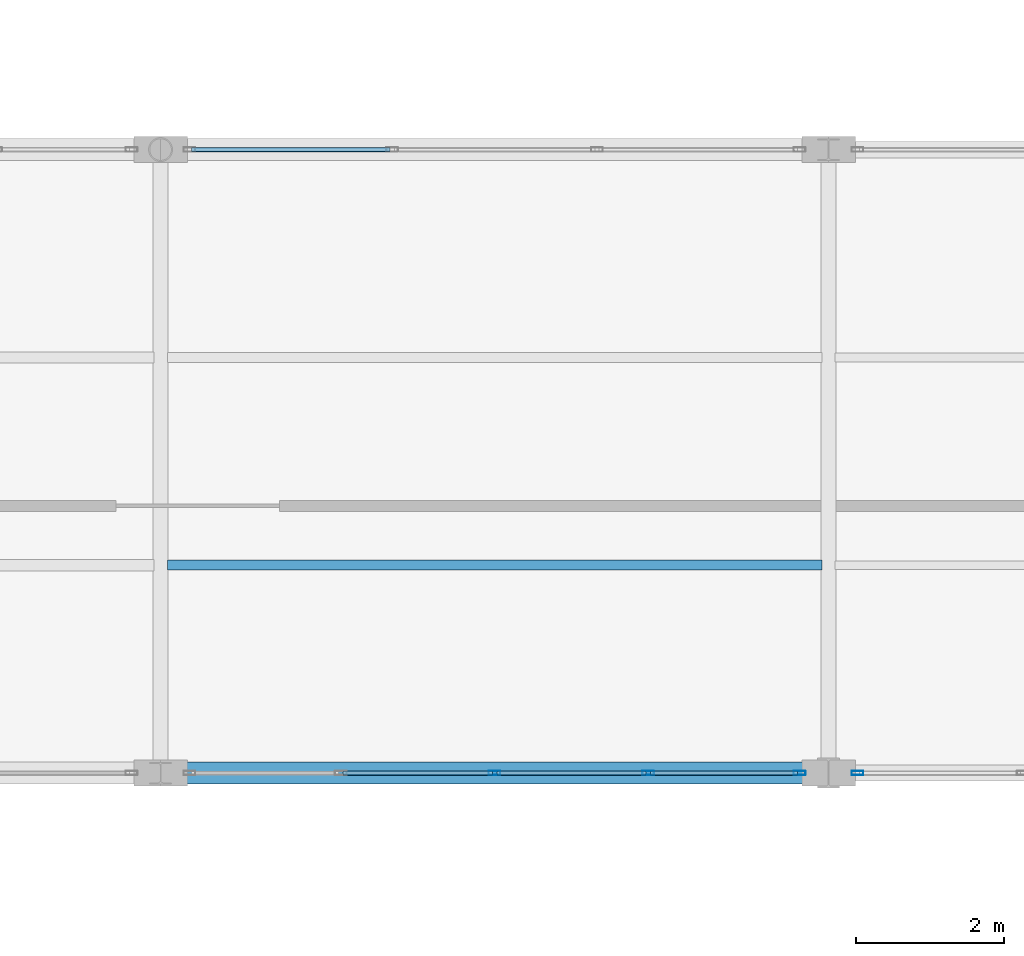
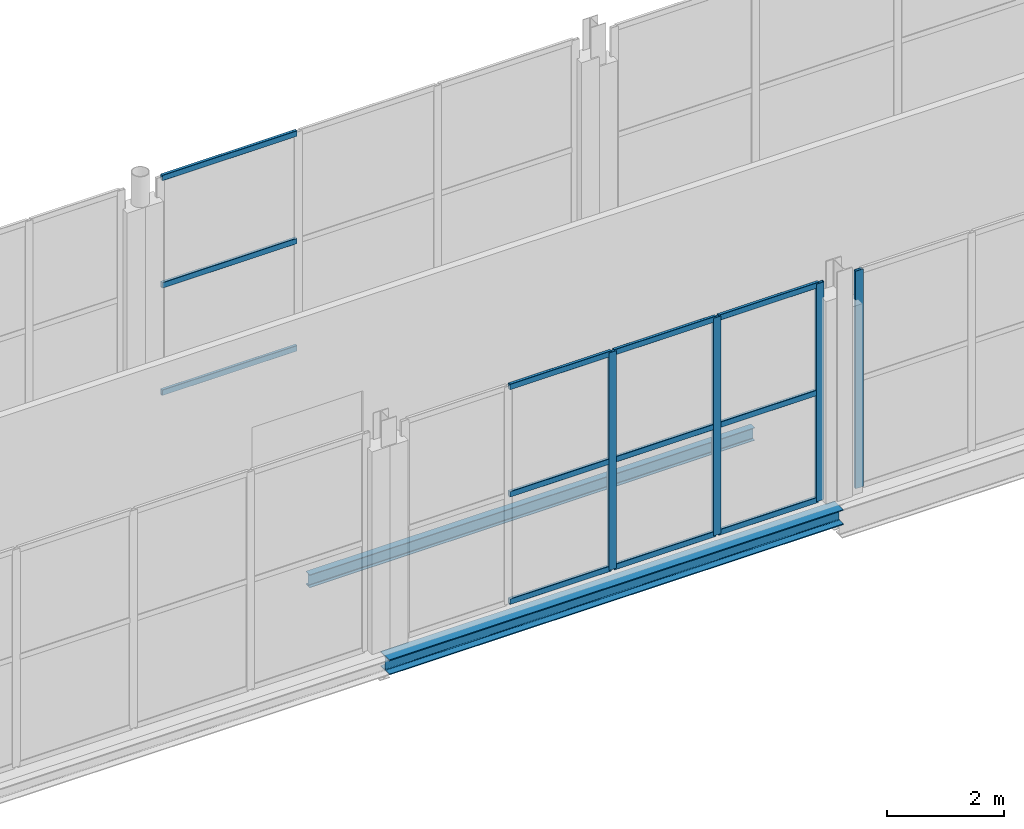
# One storey, part 63 of 120: 16 members, 2 beams, 3 elements without a shape of their own.
"""IFC4 building model written with IfcOpenShell, lengths in metres."""

from ifc_helpers import new_model, si_unit, direction, frame, origin, origin_2d, place, context, subcontext, project, spatial, hollow_rectangle, i_section, extrude, material, layer, layer_set, material_profile, profile_set, type_object, element, aggregate, save


model = new_model("IFC4")

# Units and contexts
model_context = context("Model", 3, precision=1e-05, world=origin(), true_north=direction((0.0, 1.0)))
body_context = subcontext(model_context, "Body", "Model", "MODEL_VIEW")
ifc_project = project(units=[si_unit("LENGTHUNIT", "METRE"), si_unit("AREAUNIT", "SQUARE_METRE"), si_unit("VOLUMEUNIT", "CUBIC_METRE"), si_unit("PLANEANGLEUNIT", "RADIAN"), si_unit("MASSUNIT", "GRAM", prefix="KILO")], contexts=[model_context])

# Site, building, storey
site_placement = place(None, origin())
site = spatial("IfcSite", under=ifc_project, at=site_placement, CompositionType="ELEMENT")
building_placement = place(site_placement, origin())
building = spatial("IfcBuilding", under=site, at=building_placement, Name="Vekula Escarpment Museum", CompositionType="ELEMENT")
storey_placement = place(building_placement, frame((0.0, 0.0, 13.199951171875)))
storey = spatial("IfcBuildingStorey", under=building, at=storey_placement, Name="L03", CompositionType="ELEMENT", Elevation=13.199951171875)

# Beams
ifc_material_1 = material(Name="Steel S355", Category="steel")
ifc_material_profile_1 = material_profile(ifc_material_1, i_section(OverallWidth=0.300048828125, OverallDepth=0.320068359375, WebThickness=0.011474609375, FlangeThickness=0.0205078125, FilletRadius=0.027099609375, at=origin_2d()), Name="HEB 320")
ifc_profile_set_1 = profile_set([ifc_material_profile_1], Name="Steel S355")
beam_type_1 = type_object("IfcBeamType", Name="BM-GIRD-HEB320", PredefinedType="BEAM", material=ifc_profile_set_1)
beam_1_placement = place(storey_placement, frame((146.0, 68.0, -0.409912109375), z_axis=(1.0, 0.0, 0.0), x_axis=(0.0, 1.0, 0.0)))
element("IfcBeam", 1, at=beam_1_placement, inside=storey, type_object=beam_type_1, Name="Beam X L03 1371", PredefinedType="BEAM", context=body_context, shape_type="SweptSolid", body=[
    extrude(i_section(OverallWidth=0.300048828125, OverallDepth=0.320068359375, WebThickness=0.011474609375, FlangeThickness=0.0205078125, FilletRadius=0.027099609375, at=origin_2d()), origin(), (0.0, 0.0, 1.0), 9.0),
])
ifc_material_2 = material(Name="Steel S355", Category="steel")
ifc_material_profile_2 = material_profile(ifc_material_2, i_section(OverallWidth=0.135009765625, OverallDepth=0.27001953125, WebThickness=0.006591796875, FlangeThickness=0.01025390625, FilletRadius=0.014892578125, at=origin_2d()), Name="IPE 270")
ifc_profile_set_2 = profile_set([ifc_material_profile_2], Name="Steel S355")
beam_type_2 = type_object("IfcBeamType", Name="BM-JST-IPE270", PredefinedType="JOIST", material=ifc_profile_set_2)
beam_2_placement = place(storey_placement, frame((146.090087890625, 70.800048828125, -0.385009765625), z_axis=(1.0, 0.0, 0.0), x_axis=(0.0, 1.0, 0.0)))
element("IfcBeam", 2, at=beam_2_placement, inside=storey, type_object=beam_type_2, Name="Secondary Joist L03 1084", PredefinedType="JOIST", context=body_context, shape_type="SweptSolid", body=[
    extrude(i_section(OverallWidth=0.135009765625, OverallDepth=0.27001953125, WebThickness=0.006591796875, FlangeThickness=0.01025390625, FilletRadius=0.014892578125, at=origin_2d()), origin(), (0.0, 0.0, 1.0), 8.81982421875),
])

# Curtain wall, members
ifc_material_3 = material(Name="Aluminium thermally broken framing", Category="aluminium")
ifc_layer_1 = layer(ifc_material_3, 0.199951171875)
ifc_layer_set_1 = layer_set([ifc_layer_1], Name="Aluminium thermally broken framing")
curtain_wall_type_1 = type_object("IfcCurtainWallType", Name="CW-SYS-03", PredefinedType="NOTDEFINED", material=ifc_layer_set_1)
curtain_wall_1_placement = place(storey_placement, origin())
curtain_wall_1 = element("IfcCurtainWall", 3, at=curtain_wall_1_placement, inside=storey, type_object=curtain_wall_type_1, Name="Curtain Wall CW-L03-113", PredefinedType="NOTDEFINED")
ifc_material_4 = material(Name="Aluminium anodized mullion", Category="aluminium")
ifc_material_profile_3 = material_profile(ifc_material_4, hollow_rectangle(XDim=0.06005859375, YDim=0.159912109375, WallThickness=0.00390625, InnerFilletRadius=0.00390625, OuterFilletRadius=0.008056640625, at=origin_2d()), Name="ALU 160x60x4")
ifc_profile_set_3 = profile_set([ifc_material_profile_3], Name="Aluminium anodized mullion")
member_type_1 = type_object("IfcMemberType", Name="CW-MUL-160", PredefinedType="MULLION", material=ifc_profile_set_3)
member_1_placement = place(storey_placement, frame((150.5, 68.0, 0.0), z_axis=(0.0, 0.0, 1.0), x_axis=(0.0, 1.0, 0.0)))
member_1 = element("IfcMember", 4, at=member_1_placement, type_object=member_type_1, Name="CW-03 mullion 3", PredefinedType="MULLION", context=body_context, shape_type="SweptSolid", body=[
    extrude(hollow_rectangle(XDim=0.06005859375, YDim=0.159912109375, WallThickness=0.00390625, InnerFilletRadius=0.00390625, OuterFilletRadius=0.008056640625, at=origin_2d()), origin(), (0.0, 0.0, 1.0), 4.56005859375),
])
member_2_placement = place(storey_placement, frame((152.570068359375, 68.0, 0.0), z_axis=(0.0, 0.0, 1.0), x_axis=(0.0, 1.0, 0.0)))
member_2 = element("IfcMember", 5, at=member_2_placement, type_object=member_type_1, Name="CW-03 mullion 4", PredefinedType="MULLION", context=body_context, shape_type="SweptSolid", body=[
    extrude(hollow_rectangle(XDim=0.06005859375, YDim=0.159912109375, WallThickness=0.00390625, InnerFilletRadius=0.00390625, OuterFilletRadius=0.008056640625, at=origin_2d()), origin(), (0.0, 0.0, 1.0), 4.56005859375),
])
member_3_placement = place(storey_placement, frame((154.610107421875, 68.0, 0.0), z_axis=(0.0, 0.0, 1.0), x_axis=(0.0, 1.0, 0.0)))
member_3 = element("IfcMember", 6, at=member_3_placement, type_object=member_type_1, Name="CW-03 mullion 5", PredefinedType="MULLION", context=body_context, shape_type="SweptSolid", body=[
    extrude(hollow_rectangle(XDim=0.06005859375, YDim=0.159912109375, WallThickness=0.00390625, InnerFilletRadius=0.00390625, OuterFilletRadius=0.008056640625, at=origin_2d()), origin(), (0.0, 0.0, 1.0), 4.56005859375),
])

# Curtain wall, member
ifc_material_5 = material(Name="Aluminium thermally broken framing", Category="aluminium")
ifc_layer_2 = layer(ifc_material_5, 0.199951171875)
ifc_layer_set_2 = layer_set([ifc_layer_2], Name="Aluminium thermally broken framing")
curtain_wall_type_2 = type_object("IfcCurtainWallType", Name="CW-SYS-04", PredefinedType="NOTDEFINED", material=ifc_layer_set_2)
curtain_wall_2_placement = place(storey_placement, origin())
curtain_wall_2 = element("IfcCurtainWall", 7, at=curtain_wall_2_placement, inside=storey, type_object=curtain_wall_type_2, Name="Curtain Wall CW-L03-114", PredefinedType="NOTDEFINED")
member_4_placement = place(storey_placement, frame((155.389892578125, 68.0, 0.0), z_axis=(0.0, 0.0, 1.0), x_axis=(0.0, 1.0, 0.0)))
member_4 = element("IfcMember", 8, at=member_4_placement, type_object=member_type_1, Name="CW-04 mullion 1", PredefinedType="MULLION", context=body_context, shape_type="SweptSolid", body=[
    extrude(hollow_rectangle(XDim=0.06005859375, YDim=0.159912109375, WallThickness=0.00390625, InnerFilletRadius=0.00390625, OuterFilletRadius=0.008056640625, at=origin_2d()), origin(), (0.0, 0.0, 1.0), 4.56005859375),
])
aggregate(curtain_wall_2, [member_4])

# Member
ifc_material_6 = material(Name="Aluminium anodized transom", Category="aluminium")
ifc_material_profile_4 = material_profile(ifc_material_6, hollow_rectangle(XDim=0.06005859375, YDim=0.1201171875, WallThickness=0.00390625, InnerFilletRadius=0.00390625, OuterFilletRadius=0.008056640625, at=origin_2d()), Name="ALU 120x60x4")
ifc_profile_set_4 = profile_set([ifc_material_profile_4], Name="Aluminium anodized transom")
member_type_2 = type_object("IfcMemberType", Name="CW-TRN-120", PredefinedType="USERDEFINED", material=ifc_profile_set_4)
member_5_placement = place(storey_placement, frame((148.4599609375, 68.0, 0.030029296875), z_axis=(1.0, 0.0, 0.0), x_axis=(0.0, 1.0, 0.0)))
member_5 = element("IfcMember", 9, at=member_5_placement, type_object=member_type_2, Name="CW-03 transom 2.1", ObjectType="TRANSOM", PredefinedType="USERDEFINED", context=body_context, shape_type="SweptSolid", body=[
    extrude(hollow_rectangle(XDim=0.06005859375, YDim=0.1201171875, WallThickness=0.00390625, InnerFilletRadius=0.00390625, OuterFilletRadius=0.008056640625, at=origin_2d()), origin(), (0.0, 0.0, 1.0), 2.010009765625),
])

member_6_placement = place(storey_placement, frame((148.4599609375, 68.0, 2.280029296875), z_axis=(1.0, 0.0, 0.0), x_axis=(0.0, 1.0, 0.0)))
member_6 = element("IfcMember", 10, at=member_6_placement, type_object=member_type_2, Name="CW-03 transom 2.2", ObjectType="TRANSOM", PredefinedType="USERDEFINED", context=body_context, shape_type="SweptSolid", body=[
    extrude(hollow_rectangle(XDim=0.06005859375, YDim=0.1201171875, WallThickness=0.00390625, InnerFilletRadius=0.00390625, OuterFilletRadius=0.008056640625, at=origin_2d()), origin(), (0.0, 0.0, 1.0), 2.010009765625),
])

member_7_placement = place(storey_placement, frame((148.4599609375, 68.0, 4.530029296875), z_axis=(1.0, 0.0, 0.0), x_axis=(0.0, 1.0, 0.0)))
member_7 = element("IfcMember", 11, at=member_7_placement, type_object=member_type_2, Name="CW-03 transom 2.3", ObjectType="TRANSOM", PredefinedType="USERDEFINED", context=body_context, shape_type="SweptSolid", body=[
    extrude(hollow_rectangle(XDim=0.06005859375, YDim=0.1201171875, WallThickness=0.00390625, InnerFilletRadius=0.00390625, OuterFilletRadius=0.008056640625, at=origin_2d()), origin(), (0.0, 0.0, 1.0), 2.010009765625),
])

member_8_placement = place(storey_placement, frame((150.530029296875, 68.0, 0.030029296875), z_axis=(1.0, 0.0, 0.0), x_axis=(0.0, 1.0, 0.0)))
member_8 = element("IfcMember", 12, at=member_8_placement, type_object=member_type_2, Name="CW-03 transom 3.1", ObjectType="TRANSOM", PredefinedType="USERDEFINED", context=body_context, shape_type="SweptSolid", body=[
    extrude(hollow_rectangle(XDim=0.06005859375, YDim=0.1201171875, WallThickness=0.00390625, InnerFilletRadius=0.00390625, OuterFilletRadius=0.008056640625, at=origin_2d()), origin(), (0.0, 0.0, 1.0), 2.010009765625),
])

member_9_placement = place(storey_placement, frame((150.530029296875, 68.0, 2.280029296875), z_axis=(1.0, 0.0, 0.0), x_axis=(0.0, 1.0, 0.0)))
member_9 = element("IfcMember", 13, at=member_9_placement, type_object=member_type_2, Name="CW-03 transom 3.2", ObjectType="TRANSOM", PredefinedType="USERDEFINED", context=body_context, shape_type="SweptSolid", body=[
    extrude(hollow_rectangle(XDim=0.06005859375, YDim=0.1201171875, WallThickness=0.00390625, InnerFilletRadius=0.00390625, OuterFilletRadius=0.008056640625, at=origin_2d()), origin(), (0.0, 0.0, 1.0), 2.010009765625),
])

member_10_placement = place(storey_placement, frame((150.530029296875, 68.0, 4.530029296875), z_axis=(1.0, 0.0, 0.0), x_axis=(0.0, 1.0, 0.0)))
member_10 = element("IfcMember", 14, at=member_10_placement, type_object=member_type_2, Name="CW-03 transom 3.3", ObjectType="TRANSOM", PredefinedType="USERDEFINED", context=body_context, shape_type="SweptSolid", body=[
    extrude(hollow_rectangle(XDim=0.06005859375, YDim=0.1201171875, WallThickness=0.00390625, InnerFilletRadius=0.00390625, OuterFilletRadius=0.008056640625, at=origin_2d()), origin(), (0.0, 0.0, 1.0), 2.010009765625),
])

member_11_placement = place(storey_placement, frame((152.60009765625, 68.0, 0.030029296875), z_axis=(1.0, 0.0, 0.0), x_axis=(0.0, 1.0, 0.0)))
member_11 = element("IfcMember", 15, at=member_11_placement, type_object=member_type_2, Name="CW-03 transom 4.1", ObjectType="TRANSOM", PredefinedType="USERDEFINED", context=body_context, shape_type="SweptSolid", body=[
    extrude(hollow_rectangle(XDim=0.06005859375, YDim=0.1201171875, WallThickness=0.00390625, InnerFilletRadius=0.00390625, OuterFilletRadius=0.008056640625, at=origin_2d()), origin(), (0.0, 0.0, 1.0), 1.97998046875),
])

member_12_placement = place(storey_placement, frame((152.60009765625, 68.0, 2.280029296875), z_axis=(1.0, 0.0, 0.0), x_axis=(0.0, 1.0, 0.0)))
member_12 = element("IfcMember", 16, at=member_12_placement, type_object=member_type_2, Name="CW-03 transom 4.2", ObjectType="TRANSOM", PredefinedType="USERDEFINED", context=body_context, shape_type="SweptSolid", body=[
    extrude(hollow_rectangle(XDim=0.06005859375, YDim=0.1201171875, WallThickness=0.00390625, InnerFilletRadius=0.00390625, OuterFilletRadius=0.008056640625, at=origin_2d()), origin(), (0.0, 0.0, 1.0), 1.97998046875),
])

member_13_placement = place(storey_placement, frame((152.60009765625, 68.0, 4.530029296875), z_axis=(1.0, 0.0, 0.0), x_axis=(0.0, 1.0, 0.0)))
member_13 = element("IfcMember", 17, at=member_13_placement, type_object=member_type_2, Name="CW-03 transom 4.3", ObjectType="TRANSOM", PredefinedType="USERDEFINED", context=body_context, shape_type="SweptSolid", body=[
    extrude(hollow_rectangle(XDim=0.06005859375, YDim=0.1201171875, WallThickness=0.00390625, InnerFilletRadius=0.00390625, OuterFilletRadius=0.008056640625, at=origin_2d()), origin(), (0.0, 0.0, 1.0), 1.97998046875),
])

aggregate(curtain_wall_1, [member_1, member_2, member_3, member_5, member_6, member_7, member_8, member_9, member_10, member_11, member_12, member_13])

# Curtain wall, members
ifc_material_7 = material(Name="Aluminium thermally broken framing", Category="aluminium")
ifc_layer_3 = layer(ifc_material_7, 0.179931640625)
ifc_layer_set_3 = layer_set([ifc_layer_3], Name="Aluminium thermally broken framing")
curtain_wall_type_3 = type_object("IfcCurtainWallType", Name="CW-SYS-08", PredefinedType="NOTDEFINED", material=ifc_layer_set_3)
curtain_wall_3_placement = place(storey_placement, origin())
curtain_wall_3 = element("IfcCurtainWall", 18, at=curtain_wall_3_placement, inside=storey, type_object=curtain_wall_type_3, Name="Curtain Wall CW-L03-118", PredefinedType="NOTDEFINED")
member_14_placement = place(storey_placement, frame((149.090087890625, 76.39990234375, 0.030029296875), z_axis=(-1.0, 0.0, 0.0), x_axis=(0.0, -1.0, 0.0)))
member_14 = element("IfcMember", 19, at=member_14_placement, type_object=member_type_2, Name="CW-08 transom 3.1", ObjectType="TRANSOM", PredefinedType="USERDEFINED", context=body_context, shape_type="SweptSolid", body=[
    extrude(hollow_rectangle(XDim=0.06005859375, YDim=0.1201171875, WallThickness=0.00390625, InnerFilletRadius=0.00390625, OuterFilletRadius=0.008056640625, at=origin_2d()), origin(), (0.0, 0.0, 1.0), 2.670166015625),
])
member_15_placement = place(storey_placement, frame((149.090087890625, 76.39990234375, 2.280029296875), z_axis=(-1.0, 0.0, 0.0), x_axis=(0.0, -1.0, 0.0)))
member_15 = element("IfcMember", 20, at=member_15_placement, type_object=member_type_2, Name="CW-08 transom 3.2", ObjectType="TRANSOM", PredefinedType="USERDEFINED", context=body_context, shape_type="SweptSolid", body=[
    extrude(hollow_rectangle(XDim=0.06005859375, YDim=0.1201171875, WallThickness=0.00390625, InnerFilletRadius=0.00390625, OuterFilletRadius=0.008056640625, at=origin_2d()), origin(), (0.0, 0.0, 1.0), 2.670166015625),
])
member_16_placement = place(storey_placement, frame((149.090087890625, 76.39990234375, 4.530029296875), z_axis=(-1.0, 0.0, 0.0), x_axis=(0.0, -1.0, 0.0)))
member_16 = element("IfcMember", 21, at=member_16_placement, type_object=member_type_2, Name="CW-08 transom 3.3", ObjectType="TRANSOM", PredefinedType="USERDEFINED", context=body_context, shape_type="SweptSolid", body=[
    extrude(hollow_rectangle(XDim=0.06005859375, YDim=0.1201171875, WallThickness=0.00390625, InnerFilletRadius=0.00390625, OuterFilletRadius=0.008056640625, at=origin_2d()), origin(), (0.0, 0.0, 1.0), 2.670166015625),
])
aggregate(curtain_wall_3, [member_14, member_15, member_16])

save(model, "model.ifc")
